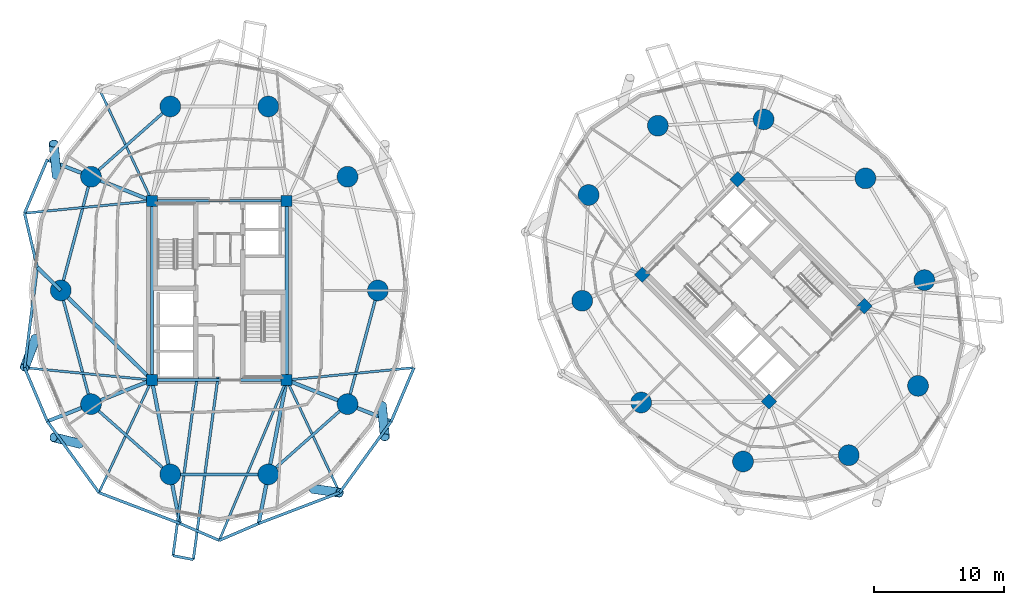
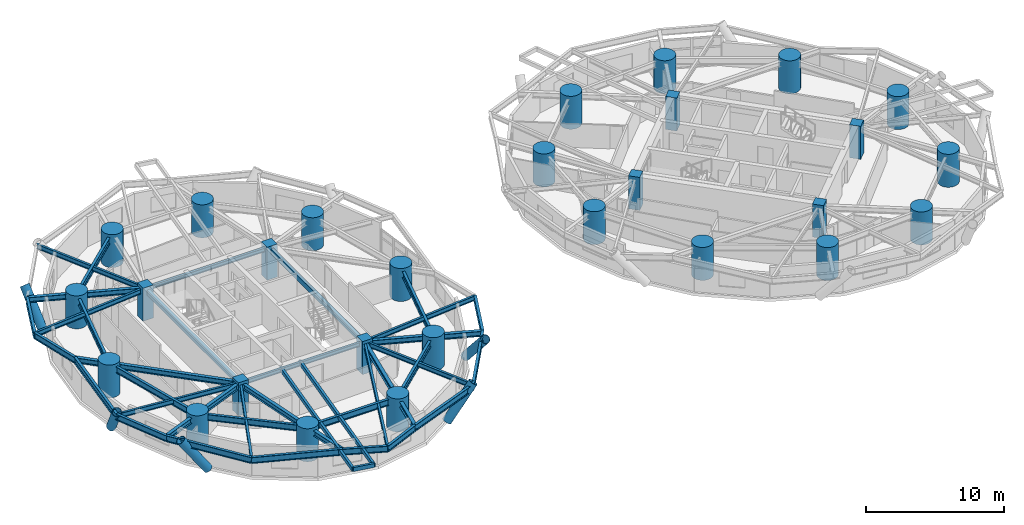
# One storey, part 1 of 17: 39 beams, 28 columns, 5 members.
"""IFC4 building model written with IfcOpenShell, lengths in metres."""

from ifc_helpers import new_model, si_unit, direction, frame, origin, origin_2d, place, context, subcontext, project, spatial, rectangle, hollow_rectangle, circle, hollow_circle, i_section, extrude, material, material_profile, profile_set, type_object, element, save


model = new_model("IFC4")

# Units and contexts
model_context = context("Model", 3, precision=1e-05, world=origin(), true_north=direction((0.0, 1.0)))
body_context = subcontext(model_context, "Body", "Model", "MODEL_VIEW")
ifc_project = project(units=[si_unit("LENGTHUNIT", "METRE"), si_unit("AREAUNIT", "SQUARE_METRE"), si_unit("VOLUMEUNIT", "CUBIC_METRE"), si_unit("PLANEANGLEUNIT", "RADIAN"), si_unit("MASSUNIT", "GRAM", prefix="KILO")], contexts=[model_context])

# Site, building, storey
site_placement = place(None, origin())
site = spatial("IfcSite", under=ifc_project, at=site_placement, CompositionType="ELEMENT")
building_placement = place(site_placement, origin())
building = spatial("IfcBuilding", under=site, at=building_placement, Name="Cununo Teusaquillo Station Towers", CompositionType="ELEMENT")
storey_placement = place(building_placement, frame((0.0, 0.0, 27.820068359375)))
storey = spatial("IfcBuildingStorey", under=building, at=storey_placement, Name="L07", CompositionType="ELEMENT", Elevation=27.820068359375)

# Columns
ifc_material_1 = material(Name="Concrete C50/60", Category="concrete")
ifc_material_profile_1 = material_profile(ifc_material_1, rectangle(XDim=0.85009765625, YDim=0.85009765625, at=origin_2d()), Name="RC-RECT-850x850")
ifc_profile_set_1 = profile_set([ifc_material_profile_1], Name="Concrete C50/60")
column_type_1 = type_object("IfcColumnType", Name="COL-CORE-Z1", PredefinedType="COLUMN", material=ifc_profile_set_1)
for number, where, z_axis, x_axis, name in (
    (1, (11.324951171875, 17.6201171875, 0.0), (0.0, 0.0, 1.0), (1.0, 0.0, 0.0), "L07 Tower A Core Column 1"),
    (2, (11.324951171875, 31.3798828125, 0.0), (0.0, 0.0, 1.0), (1.0, 0.0, 0.0), "L07 Tower A Core Column 2"),
    (3, (21.675048828125, 17.6201171875, 0.0), (0.0, 0.0, 1.0), (1.0, 0.0, 0.0), "L07 Tower A Core Column 3"),
    (4, (21.675048828125, 31.3798828125, 0.0), (0.0, 0.0, 1.0), (1.0, 0.0, 0.0), "L07 Tower A Core Column 4"),
    (5, (58.70556640625, 15.975830078125, 0.0), (0.0, 0.0, 1.0), (0.707106781187, 0.707106781187, 0.0), "L07 Tower B Core Column 1"),
    (6, (48.975830078125, 25.70556640625, 0.0), (0.0, 0.0, 1.0), (0.707106781187, 0.707106781187, 0.0), "L07 Tower B Core Column 2"),
    (7, (66.024169921875, 23.29443359375, 0.0), (0.0, 0.0, 1.0), (0.707106781187, 0.707106781187, 0.0), "L07 Tower B Core Column 3"),
    (8, (56.29443359375, 33.024169921875, 0.0), (0.0, 0.0, 1.0), (0.707106781187, 0.707106781187, 0.0), "L07 Tower B Core Column 4"),
):
    element("IfcColumn", number, at=place(storey_placement, frame(where, z_axis=z_axis, x_axis=x_axis)), inside=storey, type_object=column_type_1, Name=name, PredefinedType="COLUMN", context=body_context, shape_type="SweptSolid", body=[
        extrude(rectangle(XDim=0.85009765625, YDim=0.85009765625, at=origin_2d()), origin(), (0.0, 0.0, 1.0), 2.909912109375),
    ])
ifc_material_2 = material(Name="Concrete C60/75", Category="concrete")
ifc_material_profile_2 = material_profile(ifc_material_2, circle(Radius=0.800048828125, at=origin_2d()), Name="RC-CIRC-1600")
ifc_profile_set_2 = profile_set([ifc_material_profile_2], Name="Concrete C60/75")
column_type_2 = type_object("IfcColumnType", Name="COL-MEGA-Z1", PredefinedType="USERDEFINED", material=ifc_profile_set_2)
for number, where, z_axis, x_axis, name in (
    (9, (28.672119140625, 24.5, 0.0), (0.0, 0.0, 1.0), (1.0, 0.0, 0.0), "L07 Tower A Perimeter Column V00"),
    (10, (26.347412109375, 33.228515625, 0.0), (0.0, 0.0, 1.0), (1.0, 0.0, 0.0), "L07 Tower A Perimeter Column V02"),
    (11, (20.261474609375, 38.623291015625, 0.0), (0.0, 0.0, 1.0), (1.0, 0.0, 0.0), "L07 Tower A Perimeter Column V04"),
    (12, (12.738525390625, 38.623291015625, 0.0), (0.0, 0.0, 1.0), (1.0, 0.0, 0.0), "L07 Tower A Perimeter Column V06"),
    (13, (6.652587890625, 33.228515625, 0.0), (0.0, 0.0, 1.0), (1.0, 0.0, 0.0), "L07 Tower A Perimeter Column V08"),
    (14, (4.327880859375, 24.5, 0.0), (0.0, 0.0, 1.0), (1.0, 0.0, 0.0), "L07 Tower A Perimeter Column V10"),
    (15, (6.652587890625, 15.771484375, 0.0), (0.0, 0.0, 1.0), (1.0, 0.0, 0.0), "L07 Tower A Perimeter Column V12"),
    (16, (12.738525390625, 10.376708984375, 0.0), (0.0, 0.0, 1.0), (1.0, 0.0, 0.0), "L07 Tower A Perimeter Column V14"),
    (17, (20.261474609375, 10.376708984375, 0.0), (0.0, 0.0, 1.0), (1.0, 0.0, 0.0), "L07 Tower A Perimeter Column V16"),
    (18, (26.347412109375, 15.771484375, 0.0), (0.0, 0.0, 1.0), (1.0, 0.0, 0.0), "L07 Tower A Perimeter Column V18"),
    (19, (66.10693359375, 33.10693359375, 0.0), (0.0, 0.0, 1.0), (1.0, 0.0, 0.0), "L07 Tower B Perimeter Column V00"),
    (20, (58.291015625, 37.63525390625, 0.0), (0.0, 0.0, 1.0), (1.0, 0.0, 0.0), "L07 Tower B Perimeter Column V02"),
    (21, (50.173095703125, 37.146240234375, 0.0), (0.0, 0.0, 1.0), (1.0, 0.0, 0.0), "L07 Tower B Perimeter Column V04"),
    (22, (44.853759765625, 31.826904296875, 0.0), (0.0, 0.0, 1.0), (1.0, 0.0, 0.0), "L07 Tower B Perimeter Column V06"),
    (23, (44.36474609375, 23.708984375, 0.0), (0.0, 0.0, 1.0), (1.0, 0.0, 0.0), "L07 Tower B Perimeter Column V08"),
    (24, (48.89306640625, 15.89306640625, 0.0), (0.0, 0.0, 1.0), (1.0, 0.0, 0.0), "L07 Tower B Perimeter Column V10"),
    (25, (56.708984375, 11.36474609375, 0.0), (0.0, 0.0, 1.0), (1.0, 0.0, 0.0), "L07 Tower B Perimeter Column V12"),
    (26, (64.826904296875, 11.853759765625, 0.0), (0.0, 0.0, 1.0), (1.0, 0.0, 0.0), "L07 Tower B Perimeter Column V14"),
    (27, (70.146240234375, 17.173095703125, 0.0), (0.0, 0.0, 1.0), (1.0, 0.0, 0.0), "L07 Tower B Perimeter Column V16"),
    (28, (70.63525390625, 25.291015625, 0.0), (0.0, 0.0, 1.0), (1.0, 0.0, 0.0), "L07 Tower B Perimeter Column V18"),
):
    element("IfcColumn", number, at=place(storey_placement, frame(where, z_axis=z_axis, x_axis=x_axis)), inside=storey, type_object=column_type_2, Name=name, ObjectType="MEGA COLUMN", PredefinedType="USERDEFINED", context=body_context, shape_type="SweptSolid", body=[
        extrude(circle(Radius=0.800048828125, at=origin_2d()), origin(), (0.0, 0.0, 1.0), 2.909912109375),
    ])

# Beams
ifc_material_3 = material(Name="Steel EN 10025-2 S355J2", Category="steel")
ifc_material_profile_3 = material_profile(ifc_material_3, hollow_rectangle(XDim=0.199951171875, YDim=0.35009765625, WallThickness=0.013916015625, at=origin_2d()), Name="RHS 350x200x14")
ifc_profile_set_3 = profile_set([ifc_material_profile_3], Name="Steel EN 10025-2 S355J2")
beam_type_1 = type_object("IfcBeamType", Name="BM-BAL-CANT", PredefinedType="BEAM", material=ifc_profile_set_3)
beam_1_placement = place(storey_placement, frame((14.799560546875, 17.85009765625, 2.474853515625), z_axis=(-0.133965193427, -0.990986037717, 0.0), x_axis=(0.990986037717, -0.133965193427, 0.0)))
element("IfcBeam", 29, at=beam_1_placement, inside=storey, type_object=beam_type_1, Name="L07 Tower A Balcony Cantilever Bracket 2A", PredefinedType="BEAM", context=body_context, shape_type="SweptSolid", body=[
    extrude(hollow_rectangle(XDim=0.199951171875, YDim=0.35009765625, WallThickness=0.013916015625, at=origin_2d()), origin(), (0.0, 0.0, 1.0), 13.837646484375),
])
beam_2_placement = place(storey_placement, frame((16.40234375, 17.85009765625, 2.474853515625), z_axis=(-0.133963716843, -0.990986237326, 0.0), x_axis=(0.990986237326, -0.133963716843, 0.0)))
element("IfcBeam", 30, at=beam_2_placement, inside=storey, type_object=beam_type_1, Name="L07 Tower A Balcony Cantilever Bracket 2B", PredefinedType="BEAM", context=body_context, shape_type="SweptSolid", body=[
    extrude(hollow_rectangle(XDim=0.199951171875, YDim=0.35009765625, WallThickness=0.013916015625, at=origin_2d()), origin(), (0.0, 0.0, 1.0), 14.14208984375),
])
ifc_material_4 = material(Name="Steel EN 10025-2 S355J2", Category="steel")
ifc_material_profile_4 = material_profile(ifc_material_4, hollow_rectangle(XDim=0.25, YDim=0.449951171875, WallThickness=0.01611328125, at=origin_2d()), Name="RHS 450x250x16")
ifc_profile_set_4 = profile_set([ifc_material_profile_4], Name="Steel EN 10025-2 S355J2")
beam_type_2 = type_object("IfcBeamType", Name="BM-COUP-1", PredefinedType="USERDEFINED", material=ifc_profile_set_4)
for number, where, z_axis, x_axis, name in (
    (31, (11.324951171875, 17.6201171875, 2.425048828125), (0.0, 1.0, 0.0), (-1.0, 0.0, 0.0), "L07 Tower A Core Beam 1"),
    (32, (21.675048828125, 17.6201171875, 2.425048828125), (0.0, 1.0, 0.0), (-1.0, 0.0, 0.0), "L07 Tower A Core Beam 2"),
):
    element("IfcBeam", number, at=place(storey_placement, frame(where, z_axis=z_axis, x_axis=x_axis)), inside=storey, type_object=beam_type_2, Name=name, ObjectType="COUPLING BEAM", PredefinedType="USERDEFINED", context=body_context, shape_type="SweptSolid", body=[
        extrude(hollow_rectangle(XDim=0.25, YDim=0.449951171875, WallThickness=0.01611328125, at=origin_2d()), origin(), (0.0, 0.0, 1.0), 13.759765625),
    ])
ifc_material_5 = material(Name="Steel ASTM A572 Grade 50", Category="steel")
ifc_material_profile_5 = material_profile(ifc_material_5, i_section(OverallWidth=0.180908203125, OverallDepth=0.4169921875, WebThickness=0.010986328125, FlangeThickness=0.018310546875, FilletRadius=0.012939453125, at=origin_2d()), Name="W16X57")
ifc_profile_set_5 = profile_set([ifc_material_profile_5], Name="Steel ASTM A572 Grade 50")
beam_type_3 = type_object("IfcBeamType", Name="BM-JOIST-1", PredefinedType="JOIST", material=ifc_profile_set_5)
beam_3_placement = place(storey_placement, frame((11.324951171875, 31.3798828125, 2.44140625), z_axis=(-0.425472080871, 0.904971551155, 0.0), x_axis=(-0.904971551155, -0.425472080871, 0.0)))
element("IfcBeam", 33, at=beam_3_placement, inside=storey, type_object=beam_type_3, Name="L07 Tower A Radial Spandrel Joist V07", PredefinedType="JOIST", context=body_context, shape_type="SweptSolid", body=[
    extrude(i_section(OverallWidth=0.180908203125, OverallDepth=0.4169921875, WebThickness=0.010986328125, FlangeThickness=0.018310546875, FilletRadius=0.012939453125, at=origin_2d()), origin(), (0.0, 0.0, 1.0), 9.552734375),
])
for number, where, z_axis, x_axis, name in (
    (34, (11.324951171875, 31.3798828125, 2.44140625), (-0.995310719276, -0.096729375545, 0.0), (0.096729375545, -0.995310719276, 0.0), "L07 Tower A Radial Spandrel Joist V09"),
    (35, (11.324951171875, 17.6201171875, 2.44140625), (-0.995310719276, 0.096729375545, 0.0), (-0.096729375545, -0.995310719276, 0.0), "L07 Tower A Radial Spandrel Joist V11"),
):
    element("IfcBeam", number, at=place(storey_placement, frame(where, z_axis=z_axis, x_axis=x_axis)), inside=storey, type_object=beam_type_3, Name=name, PredefinedType="JOIST", context=body_context, shape_type="SweptSolid", body=[
        extrude(i_section(OverallWidth=0.180908203125, OverallDepth=0.4169921875, WebThickness=0.010986328125, FlangeThickness=0.018310546875, FilletRadius=0.012939453125, at=origin_2d()), origin(), (0.0, 0.0, 1.0), 9.82080078125),
    ])
beam_4_placement = place(storey_placement, frame((11.324951171875, 17.6201171875, 2.44140625), z_axis=(-0.425472080871, -0.904971551155, 0.0), x_axis=(0.904971551155, -0.425472080871, 0.0)))
element("IfcBeam", 36, at=beam_4_placement, inside=storey, type_object=beam_type_3, Name="L07 Tower A Radial Spandrel Joist V13", PredefinedType="JOIST", context=body_context, shape_type="SweptSolid", body=[
    extrude(i_section(OverallWidth=0.180908203125, OverallDepth=0.4169921875, WebThickness=0.010986328125, FlangeThickness=0.018310546875, FilletRadius=0.012939453125, at=origin_2d()), origin(), (0.0, 0.0, 1.0), 9.552734375),
])
beam_5_placement = place(storey_placement, frame((21.675048828125, 17.6201171875, 2.44140625), z_axis=(-0.387539558454, -0.92185307432, 0.0), x_axis=(0.92185307432, -0.387539558454, 0.0)))
element("IfcBeam", 37, at=beam_5_placement, inside=storey, type_object=beam_type_3, Name="L07 Tower A Radial Spandrel Joist V15", PredefinedType="JOIST", context=body_context, shape_type="SweptSolid", body=[
    extrude(i_section(OverallWidth=0.180908203125, OverallDepth=0.4169921875, WebThickness=0.010986328125, FlangeThickness=0.018310546875, FilletRadius=0.012939453125, at=origin_2d()), origin(), (0.0, 0.0, 1.0), 13.353515625),
])
beam_6_placement = place(storey_placement, frame((21.675048828125, 17.6201171875, 2.44140625), z_axis=(0.425472080871, -0.904971551155, 0.0), x_axis=(0.904971551155, 0.425472080871, 0.0)))
element("IfcBeam", 38, at=beam_6_placement, inside=storey, type_object=beam_type_3, Name="L07 Tower A Radial Spandrel Joist V17", PredefinedType="JOIST", context=body_context, shape_type="SweptSolid", body=[
    extrude(i_section(OverallWidth=0.180908203125, OverallDepth=0.4169921875, WebThickness=0.010986328125, FlangeThickness=0.018310546875, FilletRadius=0.012939453125, at=origin_2d()), origin(), (0.0, 0.0, 1.0), 9.552734375),
])
beam_7_placement = place(storey_placement, frame((21.675048828125, 17.6201171875, 2.44140625), z_axis=(0.995310719276, 0.096729375545, 0.0), x_axis=(-0.096729375545, 0.995310719276, 0.0)))
element("IfcBeam", 39, at=beam_7_placement, inside=storey, type_object=beam_type_3, Name="L07 Tower A Radial Spandrel Joist V19", PredefinedType="JOIST", context=body_context, shape_type="SweptSolid", body=[
    extrude(i_section(OverallWidth=0.180908203125, OverallDepth=0.4169921875, WebThickness=0.010986328125, FlangeThickness=0.018310546875, FilletRadius=0.012939453125, at=origin_2d()), origin(), (0.0, 0.0, 1.0), 9.82080078125),
])
ifc_material_6 = material(Name="Steel ASTM A572 Grade 50", Category="steel")
ifc_material_profile_6 = material_profile(ifc_material_6, i_section(OverallWidth=0.2041015625, OverallDepth=0.35009765625, WebThickness=0.008544921875, FlangeThickness=0.01513671875, FilletRadius=0.011962890625, at=origin_2d()), Name="W14X48")
ifc_profile_set_6 = profile_set([ifc_material_profile_6], Name="Steel ASTM A572 Grade 50")
beam_type_4 = type_object("IfcBeamType", Name="BM-LINTEL-1", PredefinedType="LINTEL", material=ifc_profile_set_6)
for number, where, z_axis, x_axis, name in (
    (40, (11.324951171875, 17.6201171875, 2.474853515625), (1.0, 0.0, 0.0), (0.0, 1.0, 0.0), "L07 Tower A Core Beam 3"),
    (41, (11.324951171875, 31.3798828125, 2.474853515625), (1.0, 0.0, 0.0), (0.0, 1.0, 0.0), "L07 Tower A Core Beam 4"),
):
    element("IfcBeam", number, at=place(storey_placement, frame(where, z_axis=z_axis, x_axis=x_axis)), inside=storey, type_object=beam_type_4, Name=name, PredefinedType="LINTEL", context=body_context, shape_type="SweptSolid", body=[
        extrude(i_section(OverallWidth=0.2041015625, OverallDepth=0.35009765625, WebThickness=0.008544921875, FlangeThickness=0.01513671875, FilletRadius=0.011962890625, at=origin_2d()), origin(), (0.0, 0.0, 1.0), 10.35009765625),
    ])
ifc_material_7 = material(Name="Steel ASTM A572 Grade 50", Category="steel")
ifc_material_profile_7 = material_profile(ifc_material_7, i_section(OverallWidth=0.280029296875, OverallDepth=0.462890625, WebThickness=0.0107421875, FlangeThickness=0.017333984375, FilletRadius=0.013916015625, at=origin_2d()), Name="W18X76")
ifc_profile_set_7 = profile_set([ifc_material_profile_7], Name="Steel ASTM A572 Grade 50")
beam_type_5 = type_object("IfcBeamType", Name="BM-RAD-G1", PredefinedType="BEAM", material=ifc_profile_set_7)
beam_8_placement = place(storey_placement, frame((11.324951171875, 31.3798828125, 2.41845703125), z_axis=(-0.929864879908, 0.367901216516, 0.0), x_axis=(-0.367901216516, -0.929864879908, 0.0)))
element("IfcBeam", 42, at=beam_8_placement, inside=storey, type_object=beam_type_5, Name="L07 Tower A Continuous Overhanging Radial Girder 05", PredefinedType="BEAM", context=body_context, shape_type="SweptSolid", body=[
    extrude(i_section(OverallWidth=0.280029296875, OverallDepth=0.462890625, WebThickness=0.0107421875, FlangeThickness=0.017333984375, FilletRadius=0.013916015625, at=origin_2d()), origin(), (0.0, 0.0, 1.0), 8.631591796875),
])
beam_9_placement = place(storey_placement, frame((11.324951171875, 17.6201171875, 2.41845703125), z_axis=(-0.713052701438, 0.701110437073, 0.0), x_axis=(-0.701110437073, -0.713052701438, 0.0)))
element("IfcBeam", 43, at=beam_9_placement, inside=storey, type_object=beam_type_5, Name="L07 Tower A Radial Girder 06A", PredefinedType="BEAM", context=body_context, shape_type="SweptSolid", body=[
    extrude(i_section(OverallWidth=0.280029296875, OverallDepth=0.462890625, WebThickness=0.0107421875, FlangeThickness=0.017333984375, FilletRadius=0.013916015625, at=origin_2d()), origin(), (0.0, 0.0, 1.0), 9.812744140625),
])
beam_10_placement = place(storey_placement, frame((4.327880859375, 24.5, 2.41845703125), z_axis=(-0.713066306507, 0.701096599995, 0.0), x_axis=(-0.701096599995, -0.713066306507, 0.0)))
element("IfcBeam", 44, at=beam_10_placement, inside=storey, type_object=beam_type_5, Name="L07 Tower A Perimeter Overhang Girder 06B", PredefinedType="BEAM", context=body_context, shape_type="SweptSolid", body=[
    extrude(i_section(OverallWidth=0.280029296875, OverallDepth=0.462890625, WebThickness=0.0107421875, FlangeThickness=0.017333984375, FilletRadius=0.013916015625, at=origin_2d()), origin(), (0.0, 0.0, 1.0), 2.529052734375),
])
beam_11_placement = place(storey_placement, frame((11.324951171875, 17.6201171875, 2.41845703125), z_axis=(-0.929864879908, -0.367901216516, 0.0), x_axis=(0.367901216516, -0.929864879908, 0.0)))
element("IfcBeam", 45, at=beam_11_placement, inside=storey, type_object=beam_type_5, Name="L07 Tower A Continuous Overhanging Radial Girder 07", PredefinedType="BEAM", context=body_context, shape_type="SweptSolid", body=[
    extrude(i_section(OverallWidth=0.280029296875, OverallDepth=0.462890625, WebThickness=0.0107421875, FlangeThickness=0.017333984375, FilletRadius=0.013916015625, at=origin_2d()), origin(), (0.0, 0.0, 1.0), 8.631591796875),
])
for number, where, z_axis, x_axis, name in (
    (46, (11.324951171875, 17.6201171875, 2.41845703125), (0.191549210283, -0.981483010571, 0.0), (0.981483010571, 0.191549210283, 0.0), "L07 Tower A Continuous Overhanging Radial Girder 08"),
    (47, (21.675048828125, 17.6201171875, 2.41845703125), (-0.191549210283, -0.981483010571, 0.0), (0.981483010571, -0.191549210283, 0.0), "L07 Tower A Continuous Overhanging Radial Girder 09"),
):
    element("IfcBeam", number, at=place(storey_placement, frame(where, z_axis=z_axis, x_axis=x_axis)), inside=storey, type_object=beam_type_5, Name=name, PredefinedType="BEAM", context=body_context, shape_type="SweptSolid", body=[
        extrude(i_section(OverallWidth=0.280029296875, OverallDepth=0.462890625, WebThickness=0.0107421875, FlangeThickness=0.017333984375, FilletRadius=0.013916015625, at=origin_2d()), origin(), (0.0, 0.0, 1.0), 11.22119140625),
    ])
beam_12_placement = place(storey_placement, frame((21.675048828125, 17.6201171875, 2.41845703125), z_axis=(0.929864879908, -0.367901216516, 0.0), x_axis=(0.367901216516, 0.929864879908, 0.0)))
element("IfcBeam", 48, at=beam_12_placement, inside=storey, type_object=beam_type_5, Name="L07 Tower A Continuous Overhanging Radial Girder 10", PredefinedType="BEAM", context=body_context, shape_type="SweptSolid", body=[
    extrude(i_section(OverallWidth=0.280029296875, OverallDepth=0.462890625, WebThickness=0.0107421875, FlangeThickness=0.017333984375, FilletRadius=0.013916015625, at=origin_2d()), origin(), (0.0, 0.0, 1.0), 8.631591796875),
])
ifc_material_8 = material(Name="Steel ASTM A572 Grade 50", Category="steel")
ifc_material_profile_8 = material_profile(ifc_material_8, i_section(OverallWidth=0.214111328125, OverallDepth=0.549072265625, WebThickness=0.0146484375, FlangeThickness=0.023681640625, FilletRadius=0.014892578125, at=origin_2d()), Name="W21X93")
ifc_profile_set_8 = profile_set([ifc_material_profile_8], Name="Steel ASTM A572 Grade 50")
beam_type_6 = type_object("IfcBeamType", Name="BM-RING-Z1", PredefinedType="SPANDREL", material=ifc_profile_set_8)
beam_13_placement = place(storey_placement, frame((12.738525390625, 38.623291015625, 2.37548828125), z_axis=(-0.74832120039, -0.66333655187, 0.0), x_axis=(0.66333655187, -0.74832120039, 0.0)))
element("IfcBeam", 49, at=beam_13_placement, inside=storey, type_object=beam_type_6, Name="L07 Tower A Structural Column Ring Girder 04", PredefinedType="SPANDREL", context=body_context, shape_type="SweptSolid", body=[
    extrude(i_section(OverallWidth=0.214111328125, OverallDepth=0.549072265625, WebThickness=0.0146484375, FlangeThickness=0.023681640625, FilletRadius=0.014892578125, at=origin_2d()), origin(), (0.0, 0.0, 1.0), 8.1328125),
])
for number, where, z_axis, x_axis, name in (
    (50, (6.652587890625, 33.228515625, 2.37548828125), (-0.257363196347, -0.966314744359, 0.0), (0.966314744359, -0.257363196347, 0.0), "L07 Tower A Structural Column Ring Girder 05"),
    (51, (4.327880859375, 24.5, 2.37548828125), (0.257363196347, -0.966314744359, 0.0), (0.966314744359, 0.257363196347, 0.0), "L07 Tower A Structural Column Ring Girder 06"),
):
    element("IfcBeam", number, at=place(storey_placement, frame(where, z_axis=z_axis, x_axis=x_axis)), inside=storey, type_object=beam_type_6, Name=name, PredefinedType="SPANDREL", context=body_context, shape_type="SweptSolid", body=[
        extrude(i_section(OverallWidth=0.214111328125, OverallDepth=0.549072265625, WebThickness=0.0146484375, FlangeThickness=0.023681640625, FilletRadius=0.014892578125, at=origin_2d()), origin(), (0.0, 0.0, 1.0), 9.03271484375),
    ])
beam_14_placement = place(storey_placement, frame((6.652587890625, 15.771484375, 2.37548828125), z_axis=(0.74832120039, -0.66333655187, 0.0), x_axis=(0.66333655187, 0.74832120039, 0.0)))
element("IfcBeam", 52, at=beam_14_placement, inside=storey, type_object=beam_type_6, Name="L07 Tower A Structural Column Ring Girder 07", PredefinedType="SPANDREL", context=body_context, shape_type="SweptSolid", body=[
    extrude(i_section(OverallWidth=0.214111328125, OverallDepth=0.549072265625, WebThickness=0.0146484375, FlangeThickness=0.023681640625, FilletRadius=0.014892578125, at=origin_2d()), origin(), (0.0, 0.0, 1.0), 8.1328125),
])
beam_15_placement = place(storey_placement, frame((12.738525390625, 10.376708984375, 2.37548828125), z_axis=(1.0, 0.0, 0.0), x_axis=(0.0, 1.0, 0.0)))
element("IfcBeam", 53, at=beam_15_placement, inside=storey, type_object=beam_type_6, Name="L07 Tower A Structural Column Ring Girder 08", PredefinedType="SPANDREL", context=body_context, shape_type="SweptSolid", body=[
    extrude(i_section(OverallWidth=0.214111328125, OverallDepth=0.549072265625, WebThickness=0.0146484375, FlangeThickness=0.023681640625, FilletRadius=0.014892578125, at=origin_2d()), origin(), (0.0, 0.0, 1.0), 7.52294921875),
])
beam_16_placement = place(storey_placement, frame((20.261474609375, 10.376708984375, 2.37548828125), z_axis=(0.74832120039, 0.66333655187, 0.0), x_axis=(-0.66333655187, 0.74832120039, 0.0)))
element("IfcBeam", 54, at=beam_16_placement, inside=storey, type_object=beam_type_6, Name="L07 Tower A Structural Column Ring Girder 09", PredefinedType="SPANDREL", context=body_context, shape_type="SweptSolid", body=[
    extrude(i_section(OverallWidth=0.214111328125, OverallDepth=0.549072265625, WebThickness=0.0146484375, FlangeThickness=0.023681640625, FilletRadius=0.014892578125, at=origin_2d()), origin(), (0.0, 0.0, 1.0), 8.1328125),
])
beam_17_placement = place(storey_placement, frame((26.347412109375, 15.771484375, 2.37548828125), z_axis=(0.257363196347, 0.966314744359, 0.0), x_axis=(-0.966314744359, 0.257363196347, 0.0)))
element("IfcBeam", 55, at=beam_17_placement, inside=storey, type_object=beam_type_6, Name="L07 Tower A Structural Column Ring Girder 10", PredefinedType="SPANDREL", context=body_context, shape_type="SweptSolid", body=[
    extrude(i_section(OverallWidth=0.214111328125, OverallDepth=0.549072265625, WebThickness=0.0146484375, FlangeThickness=0.023681640625, FilletRadius=0.014892578125, at=origin_2d()), origin(), (0.0, 0.0, 1.0), 9.03271484375),
])
beam_18_placement = place(storey_placement, frame((3.298828125, 34.555419921875, 2.37548828125), z_axis=(-0.390233589069, -0.920715887754, 0.0), x_axis=(0.920715887754, -0.390233589069, 0.0)))
element("IfcBeam", 56, at=beam_18_placement, inside=storey, type_object=beam_type_6, Name="L07 Tower A Spandrel Ring Beam 09", PredefinedType="SPANDREL", context=body_context, shape_type="SweptSolid", body=[
    extrude(i_section(OverallWidth=0.214111328125, OverallDepth=0.549072265625, WebThickness=0.0146484375, FlangeThickness=0.023681640625, FilletRadius=0.014892578125, at=origin_2d()), origin(), (0.0, 0.0, 1.0), 4.480712890625),
])
beam_19_placement = place(storey_placement, frame((1.55029296875, 30.429931640625, 2.37548828125), z_axis=(0.228165913287, -0.97362226557, 0.0), x_axis=(0.97362226557, 0.228165913287, 0.0)))
element("IfcBeam", 57, at=beam_19_placement, inside=storey, type_object=beam_type_6, Name="L07 Tower A Spandrel Ring Beam 10", PredefinedType="SPANDREL", context=body_context, shape_type="SweptSolid", body=[
    extrude(i_section(OverallWidth=0.214111328125, OverallDepth=0.549072265625, WebThickness=0.0146484375, FlangeThickness=0.023681640625, FilletRadius=0.014892578125, at=origin_2d()), origin(), (0.0, 0.0, 1.0), 4.269287109375),
])
beam_20_placement = place(storey_placement, frame((2.5244140625, 26.273193359375, 2.37548828125), z_axis=(-0.125458746224, -0.992098837312, 0.0), x_axis=(0.992098837312, -0.125458746224, 0.0)))
element("IfcBeam", 58, at=beam_20_placement, inside=storey, type_object=beam_type_6, Name="L07 Tower A Spandrel Ring Beam 11", PredefinedType="SPANDREL", context=body_context, shape_type="SweptSolid", body=[
    extrude(i_section(OverallWidth=0.214111328125, OverallDepth=0.549072265625, WebThickness=0.0146484375, FlangeThickness=0.023681640625, FilletRadius=0.014892578125, at=origin_2d()), origin(), (0.0, 0.0, 1.0), 7.764404296875),
])
beam_21_placement = place(storey_placement, frame((1.55029296875, 18.570068359375, 2.37548828125), z_axis=(0.390233589069, -0.920715887754, 0.0), x_axis=(0.920715887754, 0.390233589069, 0.0)))
element("IfcBeam", 59, at=beam_21_placement, inside=storey, type_object=beam_type_6, Name="L07 Tower A Spandrel Ring Beam 12", PredefinedType="SPANDREL", context=body_context, shape_type="SweptSolid", body=[
    extrude(i_section(OverallWidth=0.214111328125, OverallDepth=0.549072265625, WebThickness=0.0146484375, FlangeThickness=0.023681640625, FilletRadius=0.014892578125, at=origin_2d()), origin(), (0.0, 0.0, 1.0), 4.480712890625),
])
beam_22_placement = place(storey_placement, frame((3.298828125, 14.444580078125, 2.37548828125), z_axis=(0.586607937648, -0.809871056087, 0.0), x_axis=(0.809871056087, 0.586607937648, 0.0)))
element("IfcBeam", 60, at=beam_22_placement, inside=storey, type_object=beam_type_6, Name="L07 Tower A Spandrel Ring Beam 13", PredefinedType="SPANDREL", context=body_context, shape_type="SweptSolid", body=[
    extrude(i_section(OverallWidth=0.214111328125, OverallDepth=0.549072265625, WebThickness=0.0146484375, FlangeThickness=0.023681640625, FilletRadius=0.014892578125, at=origin_2d()), origin(), (0.0, 0.0, 1.0), 6.75341796875),
])
beam_23_placement = place(storey_placement, frame((7.260498046875, 8.97509765625, 2.37548828125), z_axis=(0.934426653529, -0.356155624937, 0.0), x_axis=(0.356155624937, 0.934426653529, 0.0)))
element("IfcBeam", 61, at=beam_23_placement, inside=storey, type_object=beam_type_6, Name="L07 Tower A Spandrel Ring Beam 14", PredefinedType="SPANDREL", context=body_context, shape_type="SweptSolid", body=[
    extrude(i_section(OverallWidth=0.214111328125, OverallDepth=0.549072265625, WebThickness=0.0146484375, FlangeThickness=0.023681640625, FilletRadius=0.014892578125, at=origin_2d()), origin(), (0.0, 0.0, 1.0), 6.64990234375),
])
for number, where, z_axis, x_axis, name in (
    (62, (13.474365234375, 6.606689453125, 2.37548828125), (0.919152702301, -0.393901396104, 0.0), (0.393901396104, 0.919152702301, 0.0), "L07 Tower A Spandrel Ring Beam 15"),
    (63, (16.5, 5.31005859375, 2.37548828125), (0.919152702301, 0.393901396104, 0.0), (-0.393901396104, 0.919152702301, 0.0), "L07 Tower A Spandrel Ring Beam 16"),
):
    element("IfcBeam", number, at=place(storey_placement, frame(where, z_axis=z_axis, x_axis=x_axis)), inside=storey, type_object=beam_type_6, Name=name, PredefinedType="SPANDREL", context=body_context, shape_type="SweptSolid", body=[
        extrude(i_section(OverallWidth=0.214111328125, OverallDepth=0.549072265625, WebThickness=0.0146484375, FlangeThickness=0.023681640625, FilletRadius=0.014892578125, at=origin_2d()), origin(), (0.0, 0.0, 1.0), 3.291748046875),
    ])
beam_24_placement = place(storey_placement, frame((19.525634765625, 6.606689453125, 2.37548828125), z_axis=(0.934426653529, 0.356155624937, 0.0), x_axis=(-0.356155624937, 0.934426653529, 0.0)))
element("IfcBeam", 64, at=beam_24_placement, inside=storey, type_object=beam_type_6, Name="L07 Tower A Spandrel Ring Beam 17", PredefinedType="SPANDREL", context=body_context, shape_type="SweptSolid", body=[
    extrude(i_section(OverallWidth=0.214111328125, OverallDepth=0.549072265625, WebThickness=0.0146484375, FlangeThickness=0.023681640625, FilletRadius=0.014892578125, at=origin_2d()), origin(), (0.0, 0.0, 1.0), 6.64990234375),
])
beam_25_placement = place(storey_placement, frame((25.739501953125, 8.97509765625, 2.37548828125), z_axis=(0.586607937648, 0.809871056087, 0.0), x_axis=(-0.809871056087, 0.586607937648, 0.0)))
element("IfcBeam", 65, at=beam_25_placement, inside=storey, type_object=beam_type_6, Name="L07 Tower A Spandrel Ring Beam 18", PredefinedType="SPANDREL", context=body_context, shape_type="SweptSolid", body=[
    extrude(i_section(OverallWidth=0.214111328125, OverallDepth=0.549072265625, WebThickness=0.0146484375, FlangeThickness=0.023681640625, FilletRadius=0.014892578125, at=origin_2d()), origin(), (0.0, 0.0, 1.0), 6.75341796875),
])
beam_26_placement = place(storey_placement, frame((29.701171875, 14.444580078125, 2.37548828125), z_axis=(0.390233589069, 0.920715887754, 0.0), x_axis=(-0.920715887754, 0.390233589069, 0.0)))
element("IfcBeam", 66, at=beam_26_placement, inside=storey, type_object=beam_type_6, Name="L07 Tower A Spandrel Ring Beam 19", PredefinedType="SPANDREL", context=body_context, shape_type="SweptSolid", body=[
    extrude(i_section(OverallWidth=0.214111328125, OverallDepth=0.549072265625, WebThickness=0.0146484375, FlangeThickness=0.023681640625, FilletRadius=0.014892578125, at=origin_2d()), origin(), (0.0, 0.0, 1.0), 4.480712890625),
])
ifc_material_9 = material(Name="Steel EN 10025-2 S355J2", Category="steel")
ifc_material_profile_9 = material_profile(ifc_material_9, hollow_rectangle(XDim=0.199951171875, YDim=0.35009765625, WallThickness=0.013916015625, at=origin_2d()), Name="RHS 350x200x14")
ifc_profile_set_9 = profile_set([ifc_material_profile_9], Name="Steel EN 10025-2 S355J2")
beam_type_7 = type_object("IfcBeamType", Name="BM-STAIR-TRIM", PredefinedType="BEAM", material=ifc_profile_set_9)
beam_27_placement = place(storey_placement, frame((12.94580078125, 4.13720703125, 2.52490234375), z_axis=(0.981846285306, -0.18967833833, 0.0), x_axis=(0.18967833833, 0.981846285306, 0.0)))
element("IfcBeam", 67, at=beam_27_placement, inside=storey, type_object=beam_type_7, Name="L07 Tower A Balcony Edge Trimmer Beam 2", PredefinedType="BEAM", context=body_context, shape_type="SweptSolid", body=[
    extrude(hollow_rectangle(XDim=0.199951171875, YDim=0.35009765625, WallThickness=0.013916015625, at=origin_2d()), origin(), (0.0, 0.0, 1.0), 1.5908203125),
])

# Members
ifc_material_10 = material(Name="Steel EN 10025-2 S355J2", Category="steel")
ifc_material_profile_10 = material_profile(ifc_material_10, hollow_circle(Radius=0.360107421875, WallThickness=0.028076171875, at=origin_2d()), Name="CHS 720x28")
ifc_profile_set_10 = profile_set([ifc_material_profile_10], Name="Steel EN 10025-2 S355J2")
member_type = type_object("IfcMemberType", Name="MBR-DIAG-Z1", PredefinedType="BRACE", material=ifc_profile_set_10)
member_1_placement = place(storey_placement, frame((4.02197265625, 33.3037109375, -0.14013671875), z_axis=(-0.062369865958, 0.646720665312, 0.7601725994), x_axis=(-0.995381833879, -0.095994816442, 0.0)))
element("IfcMember", 68, at=member_1_placement, inside=storey, type_object=member_type, Name="L07 Tower A Folded-Zigzag Diagrid Tube C08", PredefinedType="BRACE", context=body_context, shape_type="SweptSolid", body=[
    extrude(hollow_circle(Radius=0.360107421875, WallThickness=0.028076171875, at=origin_2d()), origin(), (0.0, 0.0, 1.0), 3.828369140625),
])
member_2_placement = place(storey_placement, frame((2.404541015625, 20.835205078125, -0.14013671875), z_axis=(-0.225666482502, -0.598380572922, 0.768775213326), x_axis=(0.935672724542, -0.352869030305, 0.0)))
element("IfcMember", 69, at=member_2_placement, inside=storey, type_object=member_type, Name="L07 Tower A Folded-Zigzag Diagrid Tube C10", PredefinedType="BRACE", context=body_context, shape_type="SweptSolid", body=[
    extrude(hollow_circle(Radius=0.360107421875, WallThickness=0.028076171875, at=origin_2d()), origin(), (0.0, 0.0, 1.0), 3.785400390625),
])
member_3_placement = place(storey_placement, frame((5.786376953125, 12.7314453125, -0.14013671875), z_axis=(-0.561643304649, 0.137108048655, 0.815940059892), x_axis=(-0.237155148339, -0.971471788379, 0.0)))
element("IfcMember", 70, at=member_3_placement, inside=storey, type_object=member_type, Name="L07 Tower A Folded-Zigzag Diagrid Tube C12", PredefinedType="BRACE", context=body_context, shape_type="SweptSolid", body=[
    extrude(hollow_circle(Radius=0.360107421875, WallThickness=0.028076171875, at=origin_2d()), origin(), (0.0, 0.0, 1.0), 3.566650390625),
])
member_4_placement = place(storey_placement, frame((23.710693359375, 9.265380859375, -0.14013671875), z_axis=(0.569985901583, -0.081553939468, 0.81759710552), x_axis=(0.1416381581, 0.989918497741, 0.0)))
element("IfcMember", 71, at=member_4_placement, inside=storey, type_object=member_type, Name="L07 Tower A Folded-Zigzag Diagrid Tube C16", PredefinedType="BRACE", context=body_context, shape_type="SweptSolid", body=[
    extrude(hollow_circle(Radius=0.360107421875, WallThickness=0.028076171875, at=origin_2d()), origin(), (0.0, 0.0, 1.0), 3.559326171875),
])
member_5_placement = place(storey_placement, frame((28.97802734375, 15.6962890625, -0.14013671875), z_axis=(0.062369865958, -0.646720665312, 0.7601725994), x_axis=(0.995381833879, 0.095994816442, 0.0)))
element("IfcMember", 72, at=member_5_placement, inside=storey, type_object=member_type, Name="L07 Tower A Folded-Zigzag Diagrid Tube C18", PredefinedType="BRACE", context=body_context, shape_type="SweptSolid", body=[
    extrude(hollow_circle(Radius=0.360107421875, WallThickness=0.028076171875, at=origin_2d()), origin(), (0.0, 0.0, 1.0), 3.828369140625),
])

save(model, "model.ifc")
